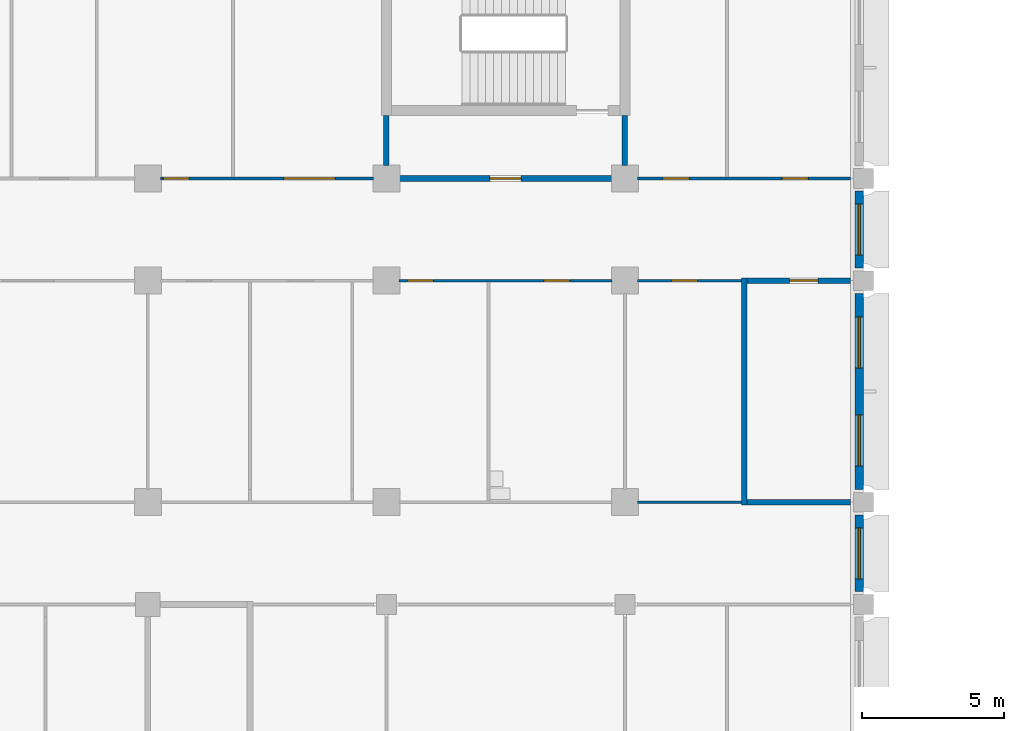
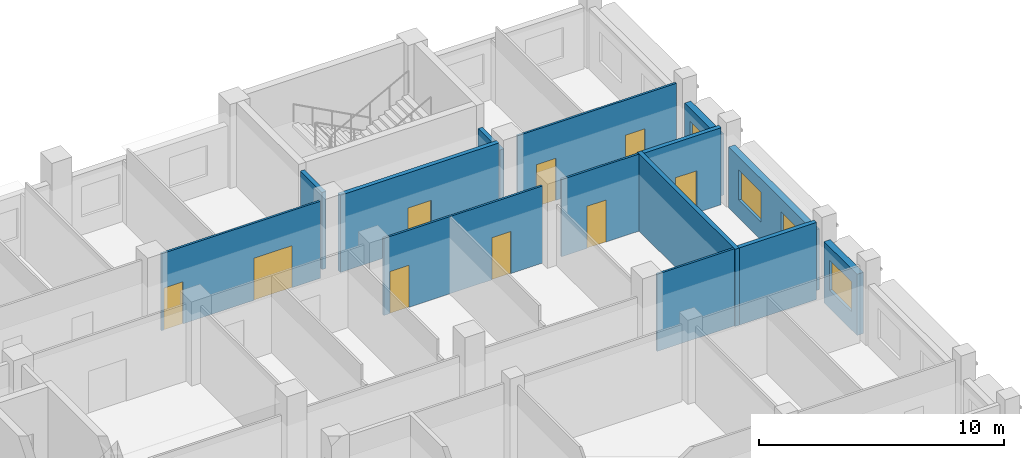
# One storey, part 72 of 109: 14 walls, 9 doors, 4 windows, 13 openings.
"""IFC4 building model written with IfcOpenShell, lengths in metres."""

from ifc_helpers import new_model, si_unit, direction, frame, frame_2d, origin, place, context, subcontext, project, spatial, rectangle, extrude, material, layer, layer_set, type_object, element, fill, save


model = new_model("IFC4")

# Units and contexts
model_context = context("Model", 3, precision=1e-05, world=origin(), true_north=direction((0.0, 1.0)))
body_context = subcontext(model_context, "Body", "Model", "MODEL_VIEW")
ifc_project = project(units=[si_unit("LENGTHUNIT", "METRE"), si_unit("AREAUNIT", "SQUARE_METRE"), si_unit("VOLUMEUNIT", "CUBIC_METRE"), si_unit("PLANEANGLEUNIT", "RADIAN"), si_unit("MASSUNIT", "GRAM", prefix="KILO")], contexts=[model_context])

# Site, building, storey
site_placement = place(None, origin())
site = spatial("IfcSite", under=ifc_project, at=site_placement, CompositionType="ELEMENT")
building_placement = place(site_placement, origin())
building = spatial("IfcBuilding", under=site, at=building_placement, Name="Bougainvillea Quay General Hospital", CompositionType="ELEMENT")
storey_placement = place(building_placement, frame((0.0, 0.0, 12.60009765625)))
storey = spatial("IfcBuildingStorey", under=building, at=storey_placement, Name="L02", CompositionType="ELEMENT", Elevation=12.60009765625)

# Wall, opening, window
ifc_material_1 = material(Name="Pale stone rainscreen cladding on insulated masonry backing, pale stone", Category="masonry")
ifc_layer_1 = layer(ifc_material_1, 0.300048828125)
ifc_layer_set_1 = layer_set([ifc_layer_1], Name="Pale stone rainscreen cladding on insulated masonry backing, pale stone")
wall_type_1 = type_object("IfcWallType", Name="External wall pale stone rainscreen 300", PredefinedType="STANDARD", material=ifc_layer_set_1)
wall_1_placement = place(storey_placement, frame((193.050048828125, 137.25, 0.0), z_axis=(0.0, 0.0, 1.0), x_axis=(0.0, 1.0, 0.0)))
wall_1 = element("IfcWall", 1, at=wall_1_placement, inside=storey, type_object=wall_type_1, Name="External wall wall/V4/L02/p0/00d", PredefinedType="STANDARD", context=body_context, shape_type="SweptSolid", body=[
    extrude(rectangle(XDim=2.699951171875, YDim=0.300048828125, at=frame_2d((1.35009765625, 0.0))), origin(), (0.0, 0.0, 1.0), 3.0498046875),
])
opening_1_placement = place(wall_1_placement, frame((0.449951171875, 0.0, 0.89990234375)))
opening_1 = element("IfcOpeningElement", 2, at=opening_1_placement, cuts=wall_1, Name="Opening W1", PredefinedType="OPENING", context=body_context, shape_type="SweptSolid", body=[
    extrude(rectangle(XDim=1.800048828125, YDim=1.5, at=frame_2d((0.89990234375, 0.75))), frame((0.0, 0.159912109375, 0.0), z_axis=(0.0, -1.0, 0.0), x_axis=(1.0, 0.0, 0.0)), (0.0, 0.0, 1.0), 0.320068359375),
])
ifc_material_2 = material(Name="Aluminium window frame with low-e double glazed unit", Category="aluminium")
window_type = type_object("IfcWindowType", Name="Window W1 1800x1500", PartitioningType="DOUBLE_PANEL_VERTICAL", PredefinedType="WINDOW", material=ifc_material_2)
window_1_placement = place(opening_1_placement, origin())
window_1 = element("IfcWindow", 3, at=window_1_placement, inside=storey, type_object=window_type, Name="Window W1 1", OverallHeight=1.5, OverallWidth=1.800048828125, PartitioningType="SINGLE_PANEL", PredefinedType="WINDOW", context=body_context, shape_type="SweptSolid", body=[
    extrude(rectangle(XDim=1.800048828125, YDim=1.5, at=frame_2d((0.89990234375, 0.75))), frame((0.0, 0.030029296875, 0.0), z_axis=(0.0, -1.0, 0.0), x_axis=(1.0, 0.0, 0.0)), (0.0, 0.0, 1.0), 0.06005859375),
])
fill(opening_1, window_1)

# Wall, openings, windows
wall_2_placement = place(storey_placement, frame((193.050048828125, 140.85009765625, 0.0), z_axis=(0.0, 0.0, 1.0), x_axis=(0.0, 1.0, 0.0)))
wall_2 = element("IfcWall", 4, at=wall_2_placement, inside=storey, type_object=wall_type_1, Name="External wall wall/V4/L02/p0/00e", PredefinedType="STANDARD", context=body_context, shape_type="SweptSolid", body=[
    extrude(rectangle(XDim=6.89990234375, YDim=0.300048828125, at=frame_2d((3.449951171875, 0.0))), origin(), (0.0, 0.0, 1.0), 3.0498046875),
])
opening_2_placement = place(wall_2_placement, frame((0.824951171875, 0.0, 0.89990234375)))
opening_2 = element("IfcOpeningElement", 5, at=opening_2_placement, cuts=wall_2, Name="Opening W1", PredefinedType="OPENING", context=body_context, shape_type="SweptSolid", body=[
    extrude(rectangle(XDim=1.800048828125, YDim=1.5, at=frame_2d((0.89990234375, 0.75))), frame((0.0, 0.159912109375, 0.0), z_axis=(0.0, -1.0, 0.0), x_axis=(1.0, 0.0, 0.0)), (0.0, 0.0, 1.0), 0.320068359375),
])
opening_3_placement = place(wall_2_placement, frame((4.27490234375, 0.0, 0.89990234375)))
opening_3 = element("IfcOpeningElement", 6, at=opening_3_placement, cuts=wall_2, Name="Opening W1", PredefinedType="OPENING", context=body_context, shape_type="SweptSolid", body=[
    extrude(rectangle(XDim=1.800048828125, YDim=1.5, at=frame_2d((0.89990234375, 0.75))), frame((0.0, 0.159912109375, 0.0), z_axis=(0.0, -1.0, 0.0), x_axis=(1.0, 0.0, 0.0)), (0.0, 0.0, 1.0), 0.320068359375),
])
window_2_placement = place(opening_2_placement, origin())
window_2 = element("IfcWindow", 7, at=window_2_placement, inside=storey, type_object=window_type, Name="Window W1 1", OverallHeight=1.5, OverallWidth=1.800048828125, PartitioningType="SINGLE_PANEL", PredefinedType="WINDOW", context=body_context, shape_type="SweptSolid", body=[
    extrude(rectangle(XDim=1.800048828125, YDim=1.5, at=frame_2d((0.89990234375, 0.75))), frame((0.0, 0.030029296875, 0.0), z_axis=(0.0, -1.0, 0.0), x_axis=(1.0, 0.0, 0.0)), (0.0, 0.0, 1.0), 0.06005859375),
])
fill(opening_2, window_2)
window_3_placement = place(opening_3_placement, origin())
window_3 = element("IfcWindow", 8, at=window_3_placement, inside=storey, type_object=window_type, Name="Window W1 2", OverallHeight=1.5, OverallWidth=1.800048828125, PartitioningType="SINGLE_PANEL", PredefinedType="WINDOW", context=body_context, shape_type="SweptSolid", body=[
    extrude(rectangle(XDim=1.800048828125, YDim=1.5, at=frame_2d((0.89990234375, 0.75))), frame((0.0, 0.030029296875, 0.0), z_axis=(0.0, -1.0, 0.0), x_axis=(1.0, 0.0, 0.0)), (0.0, 0.0, 1.0), 0.06005859375),
])
fill(opening_3, window_3)

# Wall, opening, window
wall_3_placement = place(storey_placement, frame((193.050048828125, 148.64990234375, 0.0), z_axis=(0.0, 0.0, 1.0), x_axis=(0.0, 1.0, 0.0)))
wall_3 = element("IfcWall", 9, at=wall_3_placement, inside=storey, type_object=wall_type_1, Name="External wall wall/V4/L02/p0/00f", PredefinedType="STANDARD", context=body_context, shape_type="SweptSolid", body=[
    extrude(rectangle(XDim=2.7001953125, YDim=0.300048828125, at=frame_2d((1.35009765625, 0.0))), origin(), (0.0, 0.0, 1.0), 3.0498046875),
])
opening_4_placement = place(wall_3_placement, frame((0.449951171875, 0.0, 0.89990234375)))
opening_4 = element("IfcOpeningElement", 10, at=opening_4_placement, cuts=wall_3, Name="Opening W1", PredefinedType="OPENING", context=body_context, shape_type="SweptSolid", body=[
    extrude(rectangle(XDim=1.800048828125, YDim=1.5, at=frame_2d((0.89990234375, 0.75))), frame((0.0, 0.159912109375, 0.0), z_axis=(0.0, -1.0, 0.0), x_axis=(1.0, 0.0, 0.0)), (0.0, 0.0, 1.0), 0.320068359375),
])
window_4_placement = place(opening_4_placement, origin())
window_4 = element("IfcWindow", 11, at=window_4_placement, inside=storey, type_object=window_type, Name="Window W1 1", OverallHeight=1.5, OverallWidth=1.800048828125, PartitioningType="SINGLE_PANEL", PredefinedType="WINDOW", context=body_context, shape_type="SweptSolid", body=[
    extrude(rectangle(XDim=1.800048828125, YDim=1.5, at=frame_2d((0.89990234375, 0.75))), frame((0.0, 0.030029296875, 0.0), z_axis=(0.0, -1.0, 0.0), x_axis=(1.0, 0.0, 0.0)), (0.0, 0.0, 1.0), 0.06005859375),
])
fill(opening_4, window_4)

# Wall
ifc_material_3 = material(Name="Gypsum board partition on steel studs", Category="steel")
ifc_layer_2 = layer(ifc_material_3, 0.10009765625)
ifc_layer_set_2 = layer_set([ifc_layer_2], Name="Gypsum board partition on steel studs")
wall_type_2 = type_object("IfcWallType", Name="Partition 100 Gypsum board partition", PredefinedType="PARTITIONING", material=ifc_layer_set_2)
wall_4_placement = place(storey_placement, frame((188.89990234375, 140.39990234375, 0.0), z_axis=(0.0, 0.0, 1.0), x_axis=(-1.0, 0.0, 0.0)))
element("IfcWall", 12, at=wall_4_placement, inside=storey, type_object=wall_type_2, Name="Partition 100 mm", PredefinedType="PARTITIONING", context=body_context, shape_type="SweptSolid", body=[
    extrude(rectangle(XDim=3.64990234375, YDim=0.10009765625, at=frame_2d((1.824951171875, 0.0))), origin(), (0.0, 0.0, 1.0), 3.849853515625),
])

# Wall, opening, door
wall_5_placement = place(storey_placement, frame((188.89990234375, 148.199951171875, 0.0), z_axis=(0.0, 0.0, 1.0), x_axis=(-1.0, 0.0, 0.0)))
wall_5 = element("IfcWall", 13, at=wall_5_placement, inside=storey, type_object=wall_type_2, Name="Partition 100 mm", PredefinedType="PARTITIONING", context=body_context, shape_type="SweptSolid", body=[
    extrude(rectangle(XDim=3.64990234375, YDim=0.10009765625, at=frame_2d((1.824951171875, 0.0))), origin(), (0.0, 0.0, 1.0), 3.849853515625),
])
opening_5_placement = place(wall_5_placement, frame((1.550048828125, 0.0, 0.0)))
opening_5 = element("IfcOpeningElement", 14, at=opening_5_placement, cuts=wall_5, Name="Opening L02.165", PredefinedType="OPENING", context=body_context, shape_type="SweptSolid", body=[
    extrude(rectangle(XDim=0.89990234375, YDim=2.10009765625, at=frame_2d((0.449951171875, 1.050048828125))), frame((0.0, 0.06005859375, 0.0), z_axis=(0.0, -1.0, 0.0), x_axis=(1.0, 0.0, 0.0)), (0.0, 0.0, 1.0), 0.1201171875),
])
ifc_material_4 = material(Name="Solid-core timber door leaf in steel frame", Category="steel")
door_type_1 = type_object("IfcDoorType", Name="Single leaf door 900x2100", OperationType="NOTDEFINED", PredefinedType="DOOR", material=ifc_material_4)
door_1_placement = place(opening_5_placement, origin())
door_1 = element("IfcDoor", 15, at=door_1_placement, inside=storey, type_object=door_type_1, Name="DT07 L02.165", OperationType="SINGLE_SWING_RIGHT", OverallHeight=2.10009765625, OverallWidth=0.89990234375, PredefinedType="DOOR", context=body_context, shape_type="SweptSolid", body=[
    extrude(rectangle(XDim=0.89990234375, YDim=2.10009765625, at=frame_2d((0.449951171875, 1.050048828125))), frame((0.0, 0.02490234375, 0.0), z_axis=(0.0, -1.0, 0.0), x_axis=(1.0, 0.0, 0.0)), (0.0, 0.0, 1.0), 0.050048828125),
])
fill(opening_5, door_1)

# Wall, openings, doors
wall_6_placement = place(storey_placement, frame((184.35009765625, 148.199951171875, 0.0), z_axis=(0.0, 0.0, 1.0), x_axis=(-1.0, 0.0, 0.0)))
wall_6 = element("IfcWall", 16, at=wall_6_placement, inside=storey, type_object=wall_type_2, Name="Partition 100 mm", PredefinedType="PARTITIONING", context=body_context, shape_type="SweptSolid", body=[
    extrude(rectangle(XDim=7.5, YDim=0.10009765625, at=frame_2d((3.75, 0.0))), origin(), (0.0, 0.0, 1.0), 3.849853515625),
])
opening_6_placement = place(wall_6_placement, frame((6.300048828125, 0.0, 0.0)))
opening_6 = element("IfcOpeningElement", 17, at=opening_6_placement, cuts=wall_6, Name="Opening L02.163", PredefinedType="OPENING", context=body_context, shape_type="SweptSolid", body=[
    extrude(rectangle(XDim=0.89990234375, YDim=2.10009765625, at=frame_2d((0.449951171875, 1.050048828125))), frame((0.0, 0.06005859375, 0.0), z_axis=(0.0, -1.0, 0.0), x_axis=(1.0, 0.0, 0.0)), (0.0, 0.0, 1.0), 0.1201171875),
])
opening_7_placement = place(wall_6_placement, frame((1.5, 0.0, 0.0)))
opening_7 = element("IfcOpeningElement", 18, at=opening_7_placement, cuts=wall_6, Name="Opening L02.164", PredefinedType="OPENING", context=body_context, shape_type="SweptSolid", body=[
    extrude(rectangle(XDim=0.89990234375, YDim=2.10009765625, at=frame_2d((0.449951171875, 1.050048828125))), frame((0.0, 0.06005859375, 0.0), z_axis=(0.0, -1.0, 0.0), x_axis=(1.0, 0.0, 0.0)), (0.0, 0.0, 1.0), 0.1201171875),
])
door_2_placement = place(opening_6_placement, origin())
door_2 = element("IfcDoor", 19, at=door_2_placement, inside=storey, type_object=door_type_1, Name="DT07 L02.163", OperationType="SINGLE_SWING_RIGHT", OverallHeight=2.10009765625, OverallWidth=0.89990234375, PredefinedType="DOOR", context=body_context, shape_type="SweptSolid", body=[
    extrude(rectangle(XDim=0.89990234375, YDim=2.10009765625, at=frame_2d((0.449951171875, 1.050048828125))), frame((0.0, 0.02490234375, 0.0), z_axis=(0.0, -1.0, 0.0), x_axis=(1.0, 0.0, 0.0)), (0.0, 0.0, 1.0), 0.050048828125),
])
fill(opening_6, door_2)
door_3_placement = place(opening_7_placement, origin())
door_3 = element("IfcDoor", 20, at=door_3_placement, inside=storey, type_object=door_type_1, Name="DT07 L02.164", OperationType="SINGLE_SWING_LEFT", OverallHeight=2.10009765625, OverallWidth=0.89990234375, PredefinedType="DOOR", context=body_context, shape_type="SweptSolid", body=[
    extrude(rectangle(XDim=0.89990234375, YDim=2.10009765625, at=frame_2d((0.449951171875, 1.050048828125))), frame((0.0, 0.02490234375, 0.0), z_axis=(0.0, -1.0, 0.0), x_axis=(1.0, 0.0, 0.0)), (0.0, 0.0, 1.0), 0.050048828125),
])
fill(opening_7, door_3)

wall_7_placement = place(storey_placement, frame((175.949951171875, 151.800048828125, 0.0), z_axis=(0.0, 0.0, 1.0), x_axis=(-1.0, 0.0, 0.0)))
wall_7 = element("IfcWall", 21, at=wall_7_placement, inside=storey, type_object=wall_type_2, Name="Partition 100 mm", PredefinedType="PARTITIONING", context=body_context, shape_type="SweptSolid", body=[
    extrude(rectangle(XDim=7.5, YDim=0.10009765625, at=frame_2d((3.75, 0.0))), origin(), (0.0, 0.0, 1.0), 3.849853515625),
])
opening_8_placement = place(wall_7_placement, frame((6.5, 0.0, 0.0)))
opening_8 = element("IfcOpeningElement", 22, at=opening_8_placement, cuts=wall_7, Name="Opening L02.169", PredefinedType="OPENING", context=body_context, shape_type="SweptSolid", body=[
    extrude(rectangle(XDim=0.89990234375, YDim=2.10009765625, at=frame_2d((0.449951171875, 1.050048828125))), frame((0.0, 0.06005859375, 0.0), z_axis=(0.0, -1.0, 0.0), x_axis=(1.0, 0.0, 0.0)), (0.0, 0.0, 1.0), 0.1201171875),
])
opening_9_placement = place(wall_7_placement, frame((1.35009765625, 0.0, 0.0)))
opening_9 = element("IfcOpeningElement", 23, at=opening_9_placement, cuts=wall_7, Name="Opening L02.170", PredefinedType="OPENING", context=body_context, shape_type="SweptSolid", body=[
    extrude(rectangle(XDim=1.800048828125, YDim=2.10009765625, at=frame_2d((0.89990234375, 1.050048828125))), frame((0.0, 0.06005859375, 0.0), z_axis=(0.0, -1.0, 0.0), x_axis=(1.0, 0.0, 0.0)), (0.0, 0.0, 1.0), 0.1201171875),
])
ifc_material_5 = material(Name="Solid-core timber door leaves in steel frame", Category="steel")
door_type_2 = type_object("IfcDoorType", Name="Double leaf door 1800x2100", OperationType="DOUBLE_DOOR_SINGLE_SWING", PredefinedType="DOOR", material=ifc_material_5)
door_4_placement = place(opening_9_placement, frame((1.800048828125, 0.0, 0.0), z_axis=(0.0, 0.0, 1.0), x_axis=(-1.0, 0.0, 0.0)))
door_4 = element("IfcDoor", 24, at=door_4_placement, inside=storey, type_object=door_type_2, Name="DT08 L02.170", OperationType="DOUBLE_DOOR_SINGLE_SWING", OverallHeight=2.10009765625, OverallWidth=1.800048828125, PredefinedType="DOOR", context=body_context, shape_type="SweptSolid", body=[
    extrude(rectangle(XDim=1.800048828125, YDim=2.10009765625, at=frame_2d((0.89990234375, 1.050048828125))), frame((0.0, 0.02490234375, 0.0), z_axis=(0.0, -1.0, 0.0), x_axis=(1.0, 0.0, 0.0)), (0.0, 0.0, 1.0), 0.050048828125),
])
fill(opening_9, door_4)
door_5_placement = place(opening_8_placement, frame((0.89990234375, 0.0, 0.0), z_axis=(0.0, 0.0, 1.0), x_axis=(-1.0, 0.0, 0.0)))
door_5 = element("IfcDoor", 25, at=door_5_placement, inside=storey, type_object=door_type_1, Name="DT07 L02.169", OperationType="SINGLE_SWING_LEFT", OverallHeight=2.10009765625, OverallWidth=0.89990234375, PredefinedType="DOOR", context=body_context, shape_type="SweptSolid", body=[
    extrude(rectangle(XDim=0.89990234375, YDim=2.10009765625, at=frame_2d((0.449951171875, 1.050048828125))), frame((0.0, 0.02490234375, 0.0), z_axis=(0.0, -1.0, 0.0), x_axis=(1.0, 0.0, 0.0)), (0.0, 0.0, 1.0), 0.050048828125),
])
fill(opening_8, door_5)

wall_8_placement = place(storey_placement, frame((185.25, 151.800048828125, 0.0), z_axis=(0.0, 0.0, 1.0), x_axis=(1.0, 0.0, 0.0)))
wall_8 = element("IfcWall", 26, at=wall_8_placement, inside=storey, type_object=wall_type_2, Name="Partition 100 mm", PredefinedType="PARTITIONING", context=body_context, shape_type="SweptSolid", body=[
    extrude(rectangle(XDim=7.5, YDim=0.10009765625, at=frame_2d((3.75, 0.0))), origin(), (0.0, 0.0, 1.0), 3.849853515625),
])
opening_10_placement = place(wall_8_placement, frame((0.89990234375, 0.0, 0.0)))
opening_10 = element("IfcOpeningElement", 27, at=opening_10_placement, cuts=wall_8, Name="Opening L02.171", PredefinedType="OPENING", context=body_context, shape_type="SweptSolid", body=[
    extrude(rectangle(XDim=0.89990234375, YDim=2.10009765625, at=frame_2d((0.449951171875, 1.050048828125))), frame((0.0, 0.06005859375, 0.0), z_axis=(0.0, -1.0, 0.0), x_axis=(1.0, 0.0, 0.0)), (0.0, 0.0, 1.0), 0.1201171875),
])
opening_11_placement = place(wall_8_placement, frame((5.10009765625, 0.0, 0.0)))
opening_11 = element("IfcOpeningElement", 28, at=opening_11_placement, cuts=wall_8, Name="Opening L02.172", PredefinedType="OPENING", context=body_context, shape_type="SweptSolid", body=[
    extrude(rectangle(XDim=0.89990234375, YDim=2.10009765625, at=frame_2d((0.449951171875, 1.050048828125))), frame((0.0, 0.06005859375, 0.0), z_axis=(0.0, -1.0, 0.0), x_axis=(1.0, 0.0, 0.0)), (0.0, 0.0, 1.0), 0.1201171875),
])
door_6_placement = place(opening_10_placement, origin())
door_6 = element("IfcDoor", 29, at=door_6_placement, inside=storey, type_object=door_type_1, Name="DT07 L02.171", OperationType="SINGLE_SWING_LEFT", OverallHeight=2.10009765625, OverallWidth=0.89990234375, PredefinedType="DOOR", context=body_context, shape_type="SweptSolid", body=[
    extrude(rectangle(XDim=0.89990234375, YDim=2.10009765625, at=frame_2d((0.449951171875, 1.050048828125))), frame((0.0, 0.02490234375, 0.0), z_axis=(0.0, -1.0, 0.0), x_axis=(1.0, 0.0, 0.0)), (0.0, 0.0, 1.0), 0.050048828125),
])
fill(opening_10, door_6)
door_7_placement = place(opening_11_placement, origin())
door_7 = element("IfcDoor", 30, at=door_7_placement, inside=storey, type_object=door_type_1, Name="DT07 L02.172", OperationType="SINGLE_SWING_RIGHT", OverallHeight=2.10009765625, OverallWidth=0.89990234375, PredefinedType="DOOR", context=body_context, shape_type="SweptSolid", body=[
    extrude(rectangle(XDim=0.89990234375, YDim=2.10009765625, at=frame_2d((0.449951171875, 1.050048828125))), frame((0.0, 0.02490234375, 0.0), z_axis=(0.0, -1.0, 0.0), x_axis=(1.0, 0.0, 0.0)), (0.0, 0.0, 1.0), 0.050048828125),
])
fill(opening_11, door_7)

# Wall, opening, door
ifc_material_6 = material(Name="Fire-rated autoclaved aerated block wall, plastered")
ifc_layer_3 = layer(ifc_material_6, 0.199951171875)
ifc_layer_set_3 = layer_set([ifc_layer_3], Name="Fire-rated autoclaved aerated block wall, plastered")
wall_type_3 = type_object("IfcWallType", Name="Partition 200 Fire-rated autoclaved aerated block wall EI 120", PredefinedType="SOLIDWALL", material=ifc_layer_set_3)
wall_9_placement = place(storey_placement, frame((176.85009765625, 151.800048828125, 0.0), z_axis=(0.0, 0.0, 1.0), x_axis=(1.0, 0.0, 0.0)))
wall_9 = element("IfcWall", 31, at=wall_9_placement, inside=storey, type_object=wall_type_3, Name="Partition 200 mm EI 120", PredefinedType="SOLIDWALL", context=body_context, shape_type="SweptSolid", body=[
    extrude(rectangle(XDim=7.5, YDim=0.199951171875, at=frame_2d((3.75, 0.0))), origin(), (0.0, 0.0, 1.0), 3.849853515625),
])
opening_12_placement = place(wall_9_placement, frame((3.199951171875, 0.0, 0.0)))
opening_12 = element("IfcOpeningElement", 32, at=opening_12_placement, cuts=wall_9, Name="Opening L02.034", PredefinedType="OPENING", context=body_context, shape_type="SweptSolid", body=[
    extrude(rectangle(XDim=1.10009765625, YDim=2.10009765625, at=frame_2d((0.550048828125, 1.050048828125))), frame((0.0, 0.10986328125, 0.0), z_axis=(0.0, -1.0, 0.0), x_axis=(1.0, 0.0, 0.0)), (0.0, 0.0, 1.0), 0.219970703125),
])
ifc_material_7 = material(Name="Steel fire door leaf in steel frame", Category="steel")
door_type_3 = type_object("IfcDoorType", Name="Steel single leaf door 1100x2100 FD60", OperationType="NOTDEFINED", PredefinedType="DOOR", material=ifc_material_7)
door_8_placement = place(opening_12_placement, origin())
door_8 = element("IfcDoor", 33, at=door_8_placement, inside=storey, type_object=door_type_3, Name="DT04 L02.034", OperationType="SINGLE_SWING_RIGHT", OverallHeight=2.10009765625, OverallWidth=1.10009765625, PredefinedType="DOOR", context=body_context, shape_type="SweptSolid", body=[
    extrude(rectangle(XDim=1.10009765625, YDim=2.10009765625, at=frame_2d((0.550048828125, 1.050048828125))), frame((0.0, 0.02490234375, 0.0), z_axis=(0.0, -1.0, 0.0), x_axis=(1.0, 0.0, 0.0)), (0.0, 0.0, 1.0), 0.050048828125),
])
fill(opening_12, door_8)

# Walls
wall_10_placement = place(storey_placement, frame((176.39990234375, 152.25, 0.0), z_axis=(0.0, 0.0, 1.0), x_axis=(0.0, 1.0, 0.0)))
element("IfcWall", 34, at=wall_10_placement, inside=storey, type_object=wall_type_3, Name="Partition 200 mm EI 120", PredefinedType="SOLIDWALL", context=body_context, shape_type="SweptSolid", body=[
    extrude(rectangle(XDim=1.77490234375, YDim=0.199951171875, at=frame_2d((0.887451171875, 0.0))), origin(), (0.0, 0.0, 1.0), 3.849853515625),
])
wall_11_placement = place(storey_placement, frame((184.800048828125, 152.25, 0.0), z_axis=(0.0, 0.0, 1.0), x_axis=(0.0, 1.0, 0.0)))
element("IfcWall", 35, at=wall_11_placement, inside=storey, type_object=wall_type_3, Name="Partition 200 mm EI 120", PredefinedType="SOLIDWALL", context=body_context, shape_type="SweptSolid", body=[
    extrude(rectangle(XDim=1.77490234375, YDim=0.199951171875, at=frame_2d((0.887451171875, 0.0))), origin(), (0.0, 0.0, 1.0), 3.02978515625),
])
ifc_layer_4 = layer(ifc_material_6, 0.199951171875)
ifc_layer_set_4 = layer_set([ifc_layer_4], Name="Fire-rated autoclaved aerated block wall, plastered")
wall_type_4 = type_object("IfcWallType", Name="Partition 200 Fire-rated autoclaved aerated block wall EI 60", PredefinedType="SOLIDWALL", material=ifc_layer_set_4)
wall_12_placement = place(storey_placement, frame((189.0, 140.300048828125, 0.0), z_axis=(0.0, 0.0, 1.0), x_axis=(0.0, 1.0, 0.0)))
element("IfcWall", 36, at=wall_12_placement, inside=storey, type_object=wall_type_4, Name="Partition 200 mm EI 60", PredefinedType="SOLIDWALL", context=body_context, shape_type="SweptSolid", body=[
    extrude(rectangle(XDim=8.0, YDim=0.199951171875, at=frame_2d((4.0, 0.0))), origin(), (0.0, 0.0, 1.0), 3.849853515625),
])
wall_13_placement = place(storey_placement, frame((189.10009765625, 140.39990234375, 0.0), z_axis=(0.0, 0.0, 1.0), x_axis=(1.0, 0.0, 0.0)))
element("IfcWall", 37, at=wall_13_placement, inside=storey, type_object=wall_type_4, Name="Partition 200 mm EI 60", PredefinedType="SOLIDWALL", context=body_context, shape_type="SweptSolid", body=[
    extrude(rectangle(XDim=3.64990234375, YDim=0.199951171875, at=frame_2d((1.824951171875, 0.0))), origin(), (0.0, 0.0, 1.0), 3.849853515625),
])

# Wall, opening, door
wall_14_placement = place(storey_placement, frame((189.10009765625, 148.199951171875, 0.0), z_axis=(0.0, 0.0, 1.0), x_axis=(1.0, 0.0, 0.0)))
wall_14 = element("IfcWall", 38, at=wall_14_placement, inside=storey, type_object=wall_type_4, Name="Partition 200 mm EI 60", PredefinedType="SOLIDWALL", context=body_context, shape_type="SweptSolid", body=[
    extrude(rectangle(XDim=3.64990234375, YDim=0.199951171875, at=frame_2d((1.824951171875, 0.0))), origin(), (0.0, 0.0, 1.0), 3.849853515625),
])
opening_13_placement = place(wall_14_placement, frame((1.5, 0.0, 0.0)))
opening_13 = element("IfcOpeningElement", 39, at=opening_13_placement, cuts=wall_14, Name="Opening L02.166", PredefinedType="OPENING", context=body_context, shape_type="SweptSolid", body=[
    extrude(rectangle(XDim=1.0, YDim=2.10009765625, at=frame_2d((0.5, 1.050048828125))), frame((0.0, 0.10986328125, 0.0), z_axis=(0.0, -1.0, 0.0), x_axis=(1.0, 0.0, 0.0)), (0.0, 0.0, 1.0), 0.219970703125),
])
door_type_4 = type_object("IfcDoorType", Name="Steel single leaf door 1000x2100 FD60", OperationType="NOTDEFINED", PredefinedType="DOOR", material=ifc_material_7)
door_9_placement = place(opening_13_placement, frame((1.0, 0.0, 0.0), z_axis=(0.0, 0.0, 1.0), x_axis=(-1.0, 0.0, 0.0)))
door_9 = element("IfcDoor", 40, at=door_9_placement, inside=storey, type_object=door_type_4, Name="DT10 L02.166", OperationType="SINGLE_SWING_LEFT", OverallHeight=2.10009765625, OverallWidth=1.0, PredefinedType="DOOR", context=body_context, shape_type="SweptSolid", body=[
    extrude(rectangle(XDim=1.0, YDim=2.10009765625, at=frame_2d((0.5, 1.050048828125))), frame((0.0, 0.02490234375, 0.0), z_axis=(0.0, -1.0, 0.0), x_axis=(1.0, 0.0, 0.0)), (0.0, 0.0, 1.0), 0.050048828125),
])
fill(opening_13, door_9)

save(model, "model.ifc")
